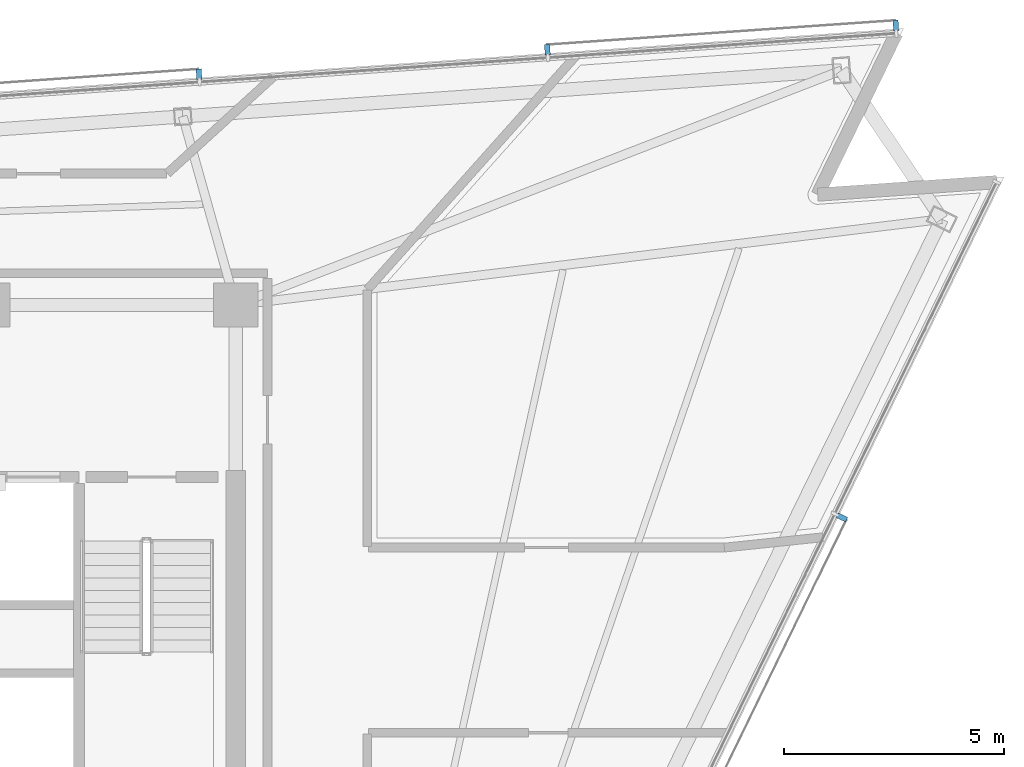
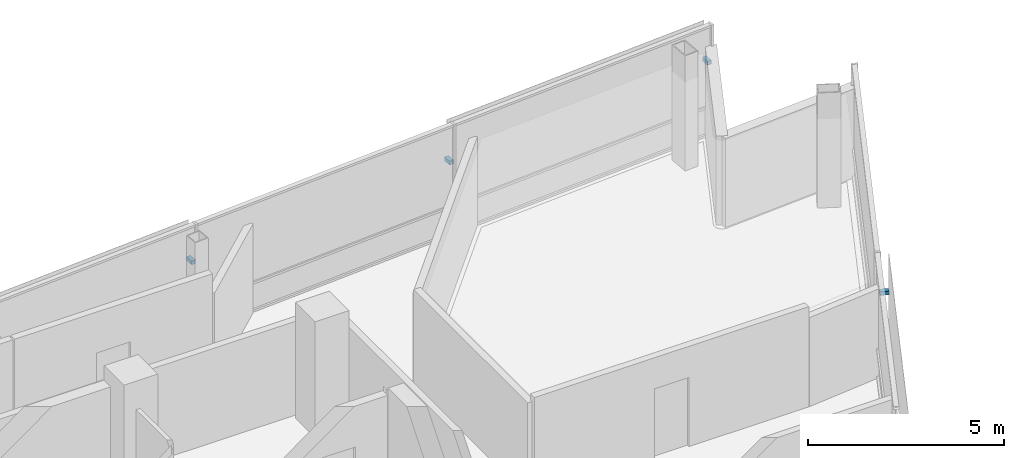
# One storey, part 13 of 16: 4 discrete accessories.
"""IFC4 building model written with IfcOpenShell, lengths in metres."""

from ifc_helpers import new_model, si_unit, direction, frame, origin, origin_2d, place, context, subcontext, project, spatial, rectangle, extrude, material, type_object, element, save


model = new_model("IFC4")

# Units and contexts
model_context = context("Model", 3, precision=1e-05, world=origin(), true_north=direction((0.0, 1.0)))
body_context = subcontext(model_context, "Body", "Model", "MODEL_VIEW")
ifc_project = project(units=[si_unit("LENGTHUNIT", "METRE"), si_unit("AREAUNIT", "SQUARE_METRE"), si_unit("VOLUMEUNIT", "CUBIC_METRE"), si_unit("PLANEANGLEUNIT", "RADIAN"), si_unit("MASSUNIT", "GRAM", prefix="KILO")], contexts=[model_context])

# Site, building, storey
site_placement = place(None, origin())
site = spatial("IfcSite", under=ifc_project, at=site_placement, CompositionType="ELEMENT")
building_placement = place(site_placement, origin())
building = spatial("IfcBuilding", under=site, at=building_placement, Name="Tharavind Bronze Gate", CompositionType="ELEMENT")
storey_placement = place(building_placement, frame((0.0, 0.0, 260.60009765625)))
storey = spatial("IfcBuildingStorey", under=building, at=storey_placement, Name="L67", CompositionType="ELEMENT", Elevation=260.60009765625)

# Discrete accessories
ifc_material = material(Name="Stainless Steel 316", Category="steel")
discrete_accessory_type = type_object("IfcDiscreteAccessoryType", Name="SOLAR SCREEN STANDOFF BRACKET", PredefinedType="BRACKET", material=ifc_material)
for number, where, z_axis, x_axis, name in (
    (1, (22.64697265625, 2.78466796875, 2.099853515625), (0.0, 0.0, 1.0), (0.43837271548, 0.898793281196, 0.0), "CW-L67-S2 solar screen bracket 5.2"),
    (2, (23.867919921875, 13.940673828125, 2.099853515625), (0.0, 0.0, 1.0), (-0.997563806758, -0.069759955899, 0.0), "CW-L67-S3 solar screen bracket 1.1"),
    (3, (15.966796875, 13.38818359375, 2.099853515625), (0.0, 0.0, 1.0), (-0.997563806758, -0.069759955899, 0.0), "CW-L67-S3 solar screen bracket 1.2"),
    (4, (8.06591796875, 12.835693359375, 2.099853515625), (0.0, 0.0, 1.0), (-0.997563806758, -0.069759955899, 0.0), "CW-L67-S3 solar screen bracket 3.1"),
):
    element("IfcDiscreteAccessory", number, at=place(storey_placement, frame(where, z_axis=z_axis, x_axis=x_axis)), inside=storey, type_object=discrete_accessory_type, Name=name, PredefinedType="BRACKET", context=body_context, shape_type="SweptSolid", body=[
        extrude(rectangle(XDim=0.1201171875, YDim=0.239990234375, at=origin_2d()), origin(), (0.0, 0.0, 1.0), 0.1201171875),
    ])

save(model, "model.ifc")
